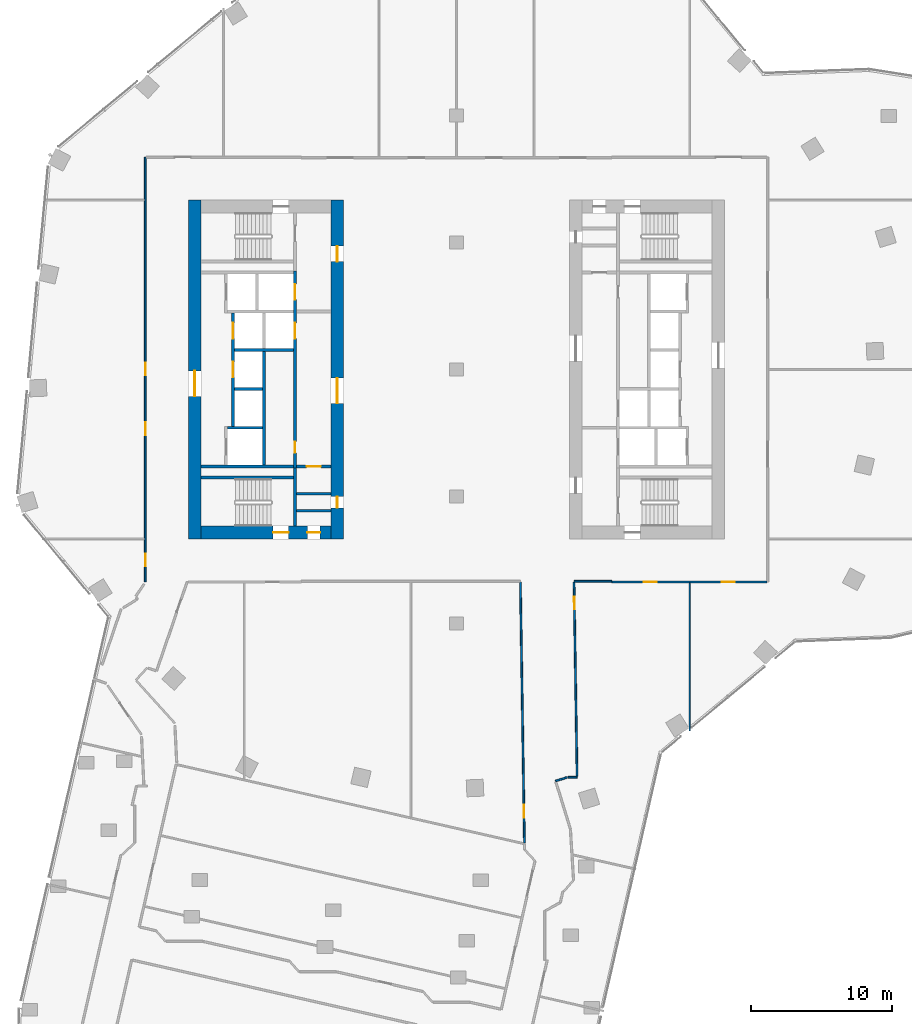
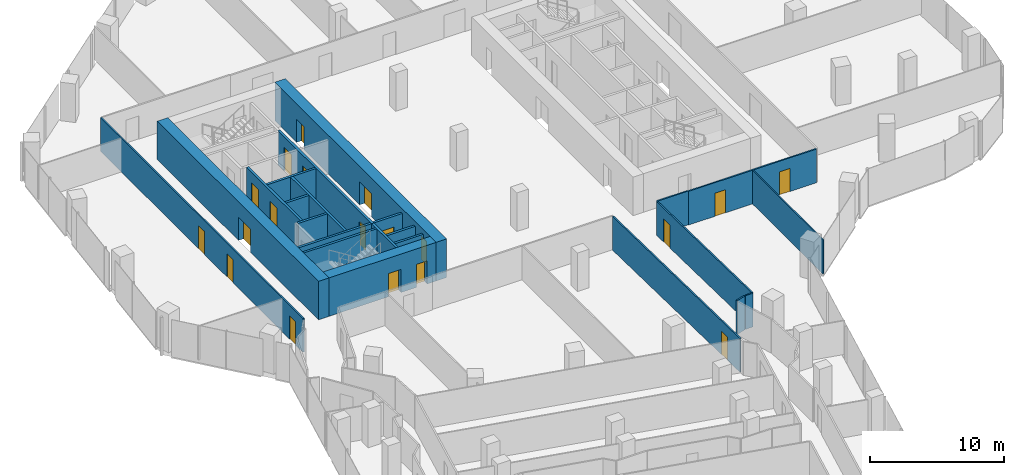
# One storey, part 20 of 24: 23 walls, 19 doors, 19 openings.
"""IFC4 building model written with IfcOpenShell, lengths in metres."""

from ifc_helpers import new_model, si_unit, direction, frame, frame_2d, origin, place, context, subcontext, project, spatial, rectangle, extrude, material, layer, layer_set, type_object, element, fill, save


model = new_model("IFC4")

# Units and contexts
model_context = context("Model", 3, precision=1e-05, world=origin(), true_north=direction((0.0, 1.0)))
body_context = subcontext(model_context, "Body", "Model", "MODEL_VIEW")
ifc_project = project(units=[si_unit("LENGTHUNIT", "METRE"), si_unit("AREAUNIT", "SQUARE_METRE"), si_unit("VOLUMEUNIT", "CUBIC_METRE"), si_unit("PLANEANGLEUNIT", "RADIAN"), si_unit("MASSUNIT", "GRAM", prefix="KILO")], contexts=[model_context])

# Site, building, storey
site_placement = place(None, origin())
site = spatial("IfcSite", under=ifc_project, at=site_placement, CompositionType="ELEMENT")
building_placement = place(site_placement, origin())
building = spatial("IfcBuilding", under=site, at=building_placement, Name="Orlundy Tower", CompositionType="ELEMENT")
storey_placement = place(building_placement, frame((0.0, 0.0, 174.10009765625)))
storey = spatial("IfcBuildingStorey", under=building, at=storey_placement, Name="L45", CompositionType="ELEMENT", Elevation=174.10009765625)

# Wall, openings, doors
ifc_material_1 = material(Name="Concrete C70/85", Category="concrete")
ifc_layer_1 = layer(ifc_material_1, 0.89990234375)
ifc_layer_set_1 = layer_set([ifc_layer_1], Name="CORE WALL 900 C70/85")
wall_type_1 = type_object("IfcWallType", Name="CORE WALL 900 C70/85", PredefinedType="SHEAR", material=ifc_layer_set_1)
wall_1_placement = place(storey_placement, frame((-18.10009765625, -11.550048828125, 0.0), z_axis=(0.0, 0.0, 1.0), x_axis=(1.0, 0.0, 0.0)))
wall_1 = element("IfcWall", 1, at=wall_1_placement, inside=storey, type_object=wall_type_1, Name="Core wall W-S L45", PredefinedType="SHEAR", context=body_context, shape_type="SweptSolid", body=[
    extrude(rectangle(XDim=9.2001953125, YDim=0.89990234375, at=frame_2d((4.60009765625, 0.0))), origin(), (0.0, 0.0, 1.0), 3.5),
])
opening_1_placement = place(wall_1_placement, frame((5.10009765625, 0.0, 0.0)))
opening_1 = element("IfcOpeningElement", 2, at=opening_1_placement, cuts=wall_1, Name="Opening 35012", PredefinedType="OPENING", context=body_context, shape_type="SweptSolid", body=[
    extrude(rectangle(XDim=1.10009765625, YDim=2.10009765625, at=frame_2d((0.550048828125, 1.050048828125))), frame((0.0, 0.4599609375, 0.0), z_axis=(0.0, -1.0, 0.0), x_axis=(1.0, 0.0, 0.0)), (0.0, 0.0, 1.0), 0.919921875),
])
opening_2_placement = place(wall_1_placement, frame((7.530029296875, 0.0, 0.0)))
opening_2 = element("IfcOpeningElement", 3, at=opening_2_placement, cuts=wall_1, Name="Opening 35014", PredefinedType="OPENING", context=body_context, shape_type="SweptSolid", body=[
    extrude(rectangle(XDim=0.89990234375, YDim=2.10009765625, at=frame_2d((0.449951171875, 1.050048828125))), frame((0.0, 0.4599609375, 0.0), z_axis=(0.0, -1.0, 0.0), x_axis=(1.0, 0.0, 0.0)), (0.0, 0.0, 1.0), 0.919921875),
])
ifc_material_2 = material(Name="Timber door set", Category="wood")
door_type_1 = type_object("IfcDoorType", Name="Room Door 900x2100", OperationType="SINGLE_SWING_LEFT", PredefinedType="DOOR", material=ifc_material_2)
door_1_placement = place(opening_2_placement, origin())
door_1 = element("IfcDoor", 4, at=door_1_placement, inside=storey, type_object=door_type_1, Name="Store door 35014", OperationType="SINGLE_SWING_RIGHT", OverallHeight=2.10009765625, OverallWidth=0.89990234375, PredefinedType="DOOR", context=body_context, shape_type="SweptSolid", body=[
    extrude(rectangle(XDim=0.89990234375, YDim=2.10009765625, at=frame_2d((0.449951171875, 1.050048828125))), frame((0.0, 0.02490234375, 0.0), z_axis=(0.0, -1.0, 0.0), x_axis=(1.0, 0.0, 0.0)), (0.0, 0.0, 1.0), 0.050048828125),
])
fill(opening_2, door_1)
ifc_material_3 = material(Name="Steel door set", Category="steel")
door_type_2 = type_object("IfcDoorType", Name="Stair Door 1100x2100", OperationType="SINGLE_SWING_LEFT", PredefinedType="DOOR", material=ifc_material_3)
door_2_placement = place(opening_1_placement, origin())
door_2 = element("IfcDoor", 5, at=door_2_placement, inside=storey, type_object=door_type_2, Name="Stair door 35012", OperationType="SINGLE_SWING_RIGHT", OverallHeight=2.10009765625, OverallWidth=1.10009765625, PredefinedType="DOOR", context=body_context, shape_type="SweptSolid", body=[
    extrude(rectangle(XDim=1.10009765625, YDim=2.10009765625, at=frame_2d((0.550048828125, 1.050048828125))), frame((0.0, 0.02490234375, 0.0), z_axis=(0.0, -1.0, 0.0), x_axis=(1.0, 0.0, 0.0)), (0.0, 0.0, 1.0), 0.050048828125),
])
fill(opening_1, door_2)

# Wall, opening, door
wall_2_placement = place(storey_placement, frame((-18.550048828125, -12.0, 0.0), z_axis=(0.0, 0.0, 1.0), x_axis=(0.0, 1.0, 0.0)))
wall_2 = element("IfcWall", 6, at=wall_2_placement, inside=storey, type_object=wall_type_1, Name="Core wall W-W L45", PredefinedType="SHEAR", context=body_context, shape_type="SweptSolid", body=[
    extrude(rectangle(XDim=24.0, YDim=0.89990234375, at=frame_2d((12.0, 0.0))), origin(), (0.0, 0.0, 1.0), 3.5),
])
opening_3_placement = place(wall_2_placement, frame((10.10009765625, 0.0, 0.0)))
opening_3 = element("IfcOpeningElement", 7, at=opening_3_placement, cuts=wall_2, Name="Opening 35009", PredefinedType="OPENING", context=body_context, shape_type="SweptSolid", body=[
    extrude(rectangle(XDim=1.800048828125, YDim=2.10009765625, at=frame_2d((0.89990234375, 1.050048828125))), frame((0.0, 0.4599609375, 0.0), z_axis=(0.0, -1.0, 0.0), x_axis=(1.0, 0.0, 0.0)), (0.0, 0.0, 1.0), 0.919921875),
])
ifc_material_4 = material(Name="Timber door set", Category="wood")
door_type_3 = type_object("IfcDoorType", Name="Lobby Door 1800x2100", OperationType="DOUBLE_DOOR_DOUBLE_SWING", PredefinedType="DOOR", material=ifc_material_4)
door_3_placement = place(opening_3_placement, origin())
door_3 = element("IfcDoor", 8, at=door_3_placement, inside=storey, type_object=door_type_3, Name="Lift lobby door 35009", OperationType="SINGLE_SWING_LEFT", OverallHeight=2.10009765625, OverallWidth=1.800048828125, PredefinedType="DOOR", context=body_context, shape_type="SweptSolid", body=[
    extrude(rectangle(XDim=1.800048828125, YDim=2.10009765625, at=frame_2d((0.89990234375, 1.050048828125))), frame((0.0, 0.02490234375, 0.0), z_axis=(0.0, -1.0, 0.0), x_axis=(1.0, 0.0, 0.0)), (0.0, 0.0, 1.0), 0.050048828125),
])
fill(opening_3, door_3)

# Wall, openings, doors
wall_3_placement = place(storey_placement, frame((-8.449951171875, -12.0, 0.0), z_axis=(0.0, 0.0, 1.0), x_axis=(0.0, 1.0, 0.0)))
wall_3 = element("IfcWall", 9, at=wall_3_placement, inside=storey, type_object=wall_type_1, Name="Core wall W-E L45", PredefinedType="SHEAR", context=body_context, shape_type="SweptSolid", body=[
    extrude(rectangle(XDim=24.0, YDim=0.89990234375, at=frame_2d((12.0, 0.0))), origin(), (0.0, 0.0, 1.0), 3.5),
])
opening_4_placement = place(wall_3_placement, frame((9.60009765625, 0.0, 0.0)))
opening_4 = element("IfcOpeningElement", 10, at=opening_4_placement, cuts=wall_3, Name="Opening 35008", PredefinedType="OPENING", context=body_context, shape_type="SweptSolid", body=[
    extrude(rectangle(XDim=1.800048828125, YDim=2.10009765625, at=frame_2d((0.89990234375, 1.050048828125))), frame((0.0, 0.4599609375, 0.0), z_axis=(0.0, -1.0, 0.0), x_axis=(1.0, 0.0, 0.0)), (0.0, 0.0, 1.0), 0.919921875),
])
opening_5_placement = place(wall_3_placement, frame((19.64990234375, 0.0, 0.0)))
opening_5 = element("IfcOpeningElement", 11, at=opening_5_placement, cuts=wall_3, Name="Opening 35010", PredefinedType="OPENING", context=body_context, shape_type="SweptSolid", body=[
    extrude(rectangle(XDim=1.10009765625, YDim=2.10009765625, at=frame_2d((0.550048828125, 1.050048828125))), frame((0.0, 0.4599609375, 0.0), z_axis=(0.0, -1.0, 0.0), x_axis=(1.0, 0.0, 0.0)), (0.0, 0.0, 1.0), 0.919921875),
])
opening_6_placement = place(wall_3_placement, frame((2.199951171875, 0.0, 0.0)))
opening_6 = element("IfcOpeningElement", 12, at=opening_6_placement, cuts=wall_3, Name="Opening 35015", PredefinedType="OPENING", context=body_context, shape_type="SweptSolid", body=[
    extrude(rectangle(XDim=0.800048828125, YDim=2.10009765625, at=frame_2d((0.39990234375, 1.050048828125))), frame((0.0, 0.4599609375, 0.0), z_axis=(0.0, -1.0, 0.0), x_axis=(1.0, 0.0, 0.0)), (0.0, 0.0, 1.0), 0.919921875),
])
ifc_material_5 = material(Name="Steel door set", Category="steel")
door_type_4 = type_object("IfcDoorType", Name="Fire-fighting Lobby Door 1100x2100", OperationType="SINGLE_SWING_LEFT", PredefinedType="DOOR", material=ifc_material_5)
door_4_placement = place(opening_5_placement, origin())
door_4 = element("IfcDoor", 13, at=door_4_placement, inside=storey, type_object=door_type_4, Name="Fire-fighting lobby door 35010", OperationType="SINGLE_SWING_RIGHT", OverallHeight=2.10009765625, OverallWidth=1.10009765625, PredefinedType="DOOR", context=body_context, shape_type="SweptSolid", body=[
    extrude(rectangle(XDim=1.10009765625, YDim=2.10009765625, at=frame_2d((0.550048828125, 1.050048828125))), frame((0.0, 0.02490234375, 0.0), z_axis=(0.0, -1.0, 0.0), x_axis=(1.0, 0.0, 0.0)), (0.0, 0.0, 1.0), 0.050048828125),
])
fill(opening_5, door_4)
door_5_placement = place(opening_4_placement, origin())
door_5 = element("IfcDoor", 14, at=door_5_placement, inside=storey, type_object=door_type_3, Name="Lift lobby door 35008", OperationType="SINGLE_SWING_LEFT", OverallHeight=2.10009765625, OverallWidth=1.800048828125, PredefinedType="DOOR", context=body_context, shape_type="SweptSolid", body=[
    extrude(rectangle(XDim=1.800048828125, YDim=2.10009765625, at=frame_2d((0.89990234375, 1.050048828125))), frame((0.0, 0.02490234375, 0.0), z_axis=(0.0, -1.0, 0.0), x_axis=(1.0, 0.0, 0.0)), (0.0, 0.0, 1.0), 0.050048828125),
])
fill(opening_4, door_5)
ifc_material_6 = material(Name="Timber door set", Category="wood")
door_type_5 = type_object("IfcDoorType", Name="Riser Door 800x2100", OperationType="SINGLE_SWING_LEFT", PredefinedType="DOOR", material=ifc_material_6)
door_6_placement = place(opening_6_placement, origin())
door_6 = element("IfcDoor", 15, at=door_6_placement, inside=storey, type_object=door_type_5, Name="Door 35015", OperationType="SINGLE_SWING_LEFT", OverallHeight=2.10009765625, OverallWidth=0.800048828125, PredefinedType="DOOR", context=body_context, shape_type="SweptSolid", body=[
    extrude(rectangle(XDim=0.800048828125, YDim=2.10009765625, at=frame_2d((0.39990234375, 1.050048828125))), frame((0.0, 0.02490234375, 0.0), z_axis=(0.0, -1.0, 0.0), x_axis=(1.0, 0.0, 0.0)), (0.0, 0.0, 1.0), 0.050048828125),
])
fill(opening_6, door_6)

# Wall
ifc_material_7 = material(Name="Gypsum board partition")
ifc_layer_2 = layer(ifc_material_7, 0.10009765625)
ifc_layer_set_2 = layer_set([ifc_layer_2], Name="Floor partition 100")
wall_type_2 = type_object("IfcWallType", Name="Floor partition 100", PredefinedType="PARTITIONING", material=ifc_layer_set_2)
wall_4_placement = place(storey_placement, frame((16.52099609375, -25.596923828125, 0.0), z_axis=(0.0, 0.0, 1.0), x_axis=(0.0, 1.0, 0.0)))
element("IfcWall", 16, at=wall_4_placement, inside=storey, type_object=wall_type_2, Name="wall-int-L45-071", PredefinedType="PARTITIONING", context=body_context, shape_type="SweptSolid", body=[
    extrude(rectangle(XDim=10.48291015625, YDim=0.10009765625, at=frame_2d((5.241455078125, 0.0))), origin(), (0.0, 0.0, 1.0), 3.059814453125),
])

# Wall, opening, door
ifc_material_8 = material(Name="Gypsum board partition, double layer")
ifc_layer_3 = layer(ifc_material_8, 0.125)
ifc_layer_set_3 = layer_set([ifc_layer_3], Name="Floor partition 125")
wall_type_3 = type_object("IfcWallType", Name="Floor partition 125", PredefinedType="PARTITIONING", material=ifc_layer_set_3)
wall_5_placement = place(storey_placement, frame((4.81103515625, -33.534912109375, 0.0), z_axis=(0.0, 0.0, 1.0), x_axis=(-0.015646006357, 0.999877593751, 0.0)))
wall_5 = element("IfcWall", 17, at=wall_5_placement, inside=storey, type_object=wall_type_3, Name="wall-int-L45-003", PredefinedType="PARTITIONING", context=body_context, shape_type="SweptSolid", body=[
    extrude(rectangle(XDim=18.47509765625, YDim=0.125, at=frame_2d((9.237548828125, 0.0))), origin(), (0.0, 0.0, 1.0), 3.059814453125),
])
opening_7_placement = place(wall_5_placement, frame((1.783203125, 0.0, 0.0)))
opening_7 = element("IfcOpeningElement", 18, at=opening_7_placement, cuts=wall_5, Name="Opening 35115", PredefinedType="OPENING", context=body_context, shape_type="SweptSolid", body=[
    extrude(rectangle(XDim=0.89990234375, YDim=2.10009765625, at=frame_2d((0.449951171875, 1.050048828125))), frame((0.0, 0.072509765625, 0.0), z_axis=(0.0, -1.0, 0.0), x_axis=(1.0, 0.0, 0.0)), (0.0, 0.0, 1.0), 0.14501953125),
])
ifc_material_9 = material(Name="Timber door leaf", Category="wood")
door_type_6 = type_object("IfcDoorType", Name="Floor door single 900 FD30S", OperationType="NOTDEFINED", PredefinedType="DOOR", material=ifc_material_9)
door_7_placement = place(opening_7_placement, origin())
door_7 = element("IfcDoor", 19, at=door_7_placement, inside=storey, type_object=door_type_6, Name="Door 35115", OperationType="SINGLE_SWING_LEFT", OverallHeight=2.10009765625, OverallWidth=0.89990234375, PredefinedType="DOOR", context=body_context, shape_type="SweptSolid", body=[
    extrude(rectangle(XDim=0.89990234375, YDim=2.10009765625, at=frame_2d((0.449951171875, 1.050048828125))), frame((0.0, 0.02490234375, 0.0), z_axis=(0.0, -1.0, 0.0), x_axis=(1.0, 0.0, 0.0)), (0.0, 0.0, 1.0), 0.050048828125),
])
fill(opening_7, door_7)

wall_6_placement = place(storey_placement, frame((8.323974609375, -15.06201171875, 0.0), z_axis=(0.0, 0.0, 1.0), x_axis=(0.015628358081, -0.999877869754, 0.0)))
wall_6 = element("IfcWall", 20, at=wall_6_placement, inside=storey, type_object=wall_type_3, Name="wall-int-L45-004", PredefinedType="PARTITIONING", context=body_context, shape_type="SweptSolid", body=[
    extrude(rectangle(XDim=13.7626953125, YDim=0.125, at=frame_2d((6.88134765625, 0.0))), origin(), (0.0, 0.0, 1.0), 3.059814453125),
])
opening_8_placement = place(wall_6_placement, frame((1.03759765625, 0.0, 0.0)))
opening_8 = element("IfcOpeningElement", 21, at=opening_8_placement, cuts=wall_6, Name="Opening 35116", PredefinedType="OPENING", context=body_context, shape_type="SweptSolid", body=[
    extrude(rectangle(XDim=0.89990234375, YDim=2.10009765625, at=frame_2d((0.449951171875, 1.050048828125))), frame((0.0, 0.072509765625, 0.0), z_axis=(0.0, -1.0, 0.0), x_axis=(1.0, 0.0, 0.0)), (0.0, 0.0, 1.0), 0.14501953125),
])
door_8_placement = place(opening_8_placement, origin())
door_8 = element("IfcDoor", 22, at=door_8_placement, inside=storey, type_object=door_type_6, Name="Door 35116", OperationType="SINGLE_SWING_LEFT", OverallHeight=2.10009765625, OverallWidth=0.89990234375, PredefinedType="DOOR", context=body_context, shape_type="SweptSolid", body=[
    extrude(rectangle(XDim=0.89990234375, YDim=2.10009765625, at=frame_2d((0.449951171875, 1.050048828125))), frame((0.0, 0.02490234375, 0.0), z_axis=(0.0, -1.0, 0.0), x_axis=(1.0, 0.0, 0.0)), (0.0, 0.0, 1.0), 0.050048828125),
])
fill(opening_8, door_8)

# Wall, openings, doors
wall_7_placement = place(storey_placement, frame((21.988037109375, -15.051025390625, 0.0), z_axis=(0.0, 0.0, 1.0), x_axis=(-1.0, 0.0, 0.0)))
wall_7 = element("IfcWall", 23, at=wall_7_placement, inside=storey, type_object=wall_type_3, Name="wall-int-L45-038", PredefinedType="PARTITIONING", context=body_context, shape_type="SweptSolid", body=[
    extrude(rectangle(XDim=10.9970703125, YDim=0.125, at=frame_2d((5.49853515625, 0.0))), origin(), (0.0, 0.0, 1.0), 3.059814453125),
])
opening_9_placement = place(wall_7_placement, frame((7.81640625, 0.0, 0.0)))
opening_9 = element("IfcOpeningElement", 24, at=opening_9_placement, cuts=wall_7, Name="Opening 35117", PredefinedType="OPENING", context=body_context, shape_type="SweptSolid", body=[
    extrude(rectangle(XDim=0.89990234375, YDim=2.10009765625, at=frame_2d((0.449951171875, 1.050048828125))), frame((0.0, 0.072509765625, 0.0), z_axis=(0.0, -1.0, 0.0), x_axis=(1.0, 0.0, 0.0)), (0.0, 0.0, 1.0), 0.14501953125),
])
opening_10_placement = place(wall_7_placement, frame((2.28759765625, 0.0, 0.0)))
opening_10 = element("IfcOpeningElement", 25, at=opening_10_placement, cuts=wall_7, Name="Opening 35118", PredefinedType="OPENING", context=body_context, shape_type="SweptSolid", body=[
    extrude(rectangle(XDim=0.89990234375, YDim=2.10009765625, at=frame_2d((0.449951171875, 1.050048828125))), frame((0.0, 0.072509765625, 0.0), z_axis=(0.0, -1.0, 0.0), x_axis=(1.0, 0.0, 0.0)), (0.0, 0.0, 1.0), 0.14501953125),
])
door_9_placement = place(opening_9_placement, origin())
door_9 = element("IfcDoor", 26, at=door_9_placement, inside=storey, type_object=door_type_6, Name="Door 35117", OperationType="SINGLE_SWING_RIGHT", OverallHeight=2.10009765625, OverallWidth=0.89990234375, PredefinedType="DOOR", context=body_context, shape_type="SweptSolid", body=[
    extrude(rectangle(XDim=0.89990234375, YDim=2.10009765625, at=frame_2d((0.449951171875, 1.050048828125))), frame((0.0, 0.02490234375, 0.0), z_axis=(0.0, -1.0, 0.0), x_axis=(1.0, 0.0, 0.0)), (0.0, 0.0, 1.0), 0.050048828125),
])
fill(opening_9, door_9)
door_10_placement = place(opening_10_placement, origin())
door_10 = element("IfcDoor", 27, at=door_10_placement, inside=storey, type_object=door_type_6, Name="Door 35118", OperationType="SINGLE_SWING_LEFT", OverallHeight=2.10009765625, OverallWidth=0.89990234375, PredefinedType="DOOR", context=body_context, shape_type="SweptSolid", body=[
    extrude(rectangle(XDim=0.89990234375, YDim=2.10009765625, at=frame_2d((0.449951171875, 1.050048828125))), frame((0.0, 0.02490234375, 0.0), z_axis=(0.0, -1.0, 0.0), x_axis=(1.0, 0.0, 0.0)), (0.0, 0.0, 1.0), 0.050048828125),
])
fill(opening_10, door_10)

# Walls
wall_8_placement = place(storey_placement, frame((8.322998046875, -15.0, 0.0), z_axis=(0.0, 0.0, 1.0), x_axis=(0.999999932961, -0.000366166215, 0.0)))
element("IfcWall", 28, at=wall_8_placement, inside=storey, type_object=wall_type_3, Name="wall-int-L45-040", PredefinedType="PARTITIONING", context=body_context, shape_type="SweptSolid", body=[
    extrude(rectangle(XDim=2.6669921875, YDim=0.125, at=frame_2d((1.33349609375, 0.0))), origin(), (0.0, 0.0, 1.0), 3.059814453125),
])
wall_9_placement = place(storey_placement, frame((7.902099609375, -28.89501953125, 0.0), z_axis=(0.0, 0.0, 1.0), x_axis=(0.999876922486, 0.015688845703, 0.0)))
element("IfcWall", 29, at=wall_9_placement, inside=storey, type_object=wall_type_3, Name="wall-int-L45-050", PredefinedType="PARTITIONING", context=body_context, shape_type="SweptSolid", body=[
    extrude(rectangle(XDim=0.637939453125, YDim=0.125, at=frame_2d((0.31884765625, 0.0))), origin(), (0.0, 0.0, 1.0), 3.059814453125),
])
wall_10_placement = place(storey_placement, frame((7.01611328125, -29.15087890625, 0.0), z_axis=(0.0, 0.0, 1.0), x_axis=(0.955337275677, 0.295517663943, 0.0)))
element("IfcWall", 30, at=wall_10_placement, inside=storey, type_object=wall_type_3, Name="wall-int-L45-052", PredefinedType="PARTITIONING", context=body_context, shape_type="SweptSolid", body=[
    extrude(rectangle(XDim=0.862548828125, YDim=0.125, at=frame_2d((0.43115234375, 0.0))), origin(), (0.0, 0.0, 1.0), 3.059814453125),
])

# Wall, openings, doors
wall_11_placement = place(storey_placement, frame((-22.050048828125, -15.051025390625, 0.0), z_axis=(0.0, 0.0, 1.0), x_axis=(0.0, 1.0, 0.0)))
wall_11 = element("IfcWall", 31, at=wall_11_placement, inside=storey, type_object=wall_type_3, Name="wall-int-L45-083", PredefinedType="PARTITIONING", context=body_context, shape_type="SweptSolid", body=[
    extrude(rectangle(XDim=30.10205078125, YDim=0.125, at=frame_2d((15.051025390625, 0.0))), origin(), (0.0, 0.0, 1.0), 3.059814453125),
])
opening_11_placement = place(wall_11_placement, frame((10.40087890625, 0.0, 0.0)))
opening_11 = element("IfcOpeningElement", 32, at=opening_11_placement, cuts=wall_11, Name="Opening 35109", PredefinedType="OPENING", context=body_context, shape_type="SweptSolid", body=[
    extrude(rectangle(XDim=0.89990234375, YDim=2.10009765625, at=frame_2d((0.449951171875, 1.050048828125))), frame((0.0, 0.072509765625, 0.0), z_axis=(0.0, -1.0, 0.0), x_axis=(1.0, 0.0, 0.0)), (0.0, 0.0, 1.0), 0.14501953125),
])
opening_12_placement = place(wall_11_placement, frame((14.65087890625, 0.0, 0.0)))
opening_12 = element("IfcOpeningElement", 33, at=opening_12_placement, cuts=wall_11, Name="Opening 35110", PredefinedType="OPENING", context=body_context, shape_type="SweptSolid", body=[
    extrude(rectangle(XDim=0.89990234375, YDim=2.10009765625, at=frame_2d((0.449951171875, 1.050048828125))), frame((0.0, 0.072509765625, 0.0), z_axis=(0.0, -1.0, 0.0), x_axis=(1.0, 0.0, 0.0)), (0.0, 0.0, 1.0), 0.14501953125),
])
opening_13_placement = place(wall_11_placement, frame((1.10009765625, 0.0, 0.0)))
opening_13 = element("IfcOpeningElement", 34, at=opening_13_placement, cuts=wall_11, Name="Opening 35111", PredefinedType="OPENING", context=body_context, shape_type="SweptSolid", body=[
    extrude(rectangle(XDim=0.89990234375, YDim=2.10009765625, at=frame_2d((0.449951171875, 1.050048828125))), frame((0.0, 0.072509765625, 0.0), z_axis=(0.0, -1.0, 0.0), x_axis=(1.0, 0.0, 0.0)), (0.0, 0.0, 1.0), 0.14501953125),
])
door_11_placement = place(opening_11_placement, origin())
door_11 = element("IfcDoor", 35, at=door_11_placement, inside=storey, type_object=door_type_6, Name="Door 35109", OperationType="SINGLE_SWING_LEFT", OverallHeight=2.10009765625, OverallWidth=0.89990234375, PredefinedType="DOOR", context=body_context, shape_type="SweptSolid", body=[
    extrude(rectangle(XDim=0.89990234375, YDim=2.10009765625, at=frame_2d((0.449951171875, 1.050048828125))), frame((0.0, 0.02490234375, 0.0), z_axis=(0.0, -1.0, 0.0), x_axis=(1.0, 0.0, 0.0)), (0.0, 0.0, 1.0), 0.050048828125),
])
fill(opening_11, door_11)
door_12_placement = place(opening_12_placement, origin())
door_12 = element("IfcDoor", 36, at=door_12_placement, inside=storey, type_object=door_type_6, Name="Door 35110", OperationType="SINGLE_SWING_RIGHT", OverallHeight=2.10009765625, OverallWidth=0.89990234375, PredefinedType="DOOR", context=body_context, shape_type="SweptSolid", body=[
    extrude(rectangle(XDim=0.89990234375, YDim=2.10009765625, at=frame_2d((0.449951171875, 1.050048828125))), frame((0.0, 0.02490234375, 0.0), z_axis=(0.0, -1.0, 0.0), x_axis=(1.0, 0.0, 0.0)), (0.0, 0.0, 1.0), 0.050048828125),
])
fill(opening_12, door_12)
door_13_placement = place(opening_13_placement, origin())
door_13 = element("IfcDoor", 37, at=door_13_placement, inside=storey, type_object=door_type_6, Name="Door 35111", OperationType="SINGLE_SWING_LEFT", OverallHeight=2.10009765625, OverallWidth=0.89990234375, PredefinedType="DOOR", context=body_context, shape_type="SweptSolid", body=[
    extrude(rectangle(XDim=0.89990234375, YDim=2.10009765625, at=frame_2d((0.449951171875, 1.050048828125))), frame((0.0, 0.02490234375, 0.0), z_axis=(0.0, -1.0, 0.0), x_axis=(1.0, 0.0, 0.0)), (0.0, 0.0, 1.0), 0.050048828125),
])
fill(opening_13, door_13)

# Walls
ifc_material_10 = material(Name="Concrete C40/50", Category="concrete")
ifc_layer_4 = layer(ifc_material_10, 0.199951171875)
ifc_layer_set_4 = layer_set([ifc_layer_4], Name="Load-bearing Shaft Wall 200")
wall_type_4 = type_object("IfcWallType", Name="Load-bearing Shaft Wall 200", PredefinedType="SOLIDWALL", material=ifc_layer_set_4)
wall_12_placement = place(storey_placement, frame((-11.43994140625, -11.10009765625, 0.0), z_axis=(0.0, 0.0, 1.0), x_axis=(0.0, 1.0, 0.0)))
element("IfcWall", 38, at=wall_12_placement, inside=storey, type_object=wall_type_4, Name="Shaft wall W35-stair-end-s", PredefinedType="SOLIDWALL", context=body_context, shape_type="SweptSolid", body=[
    extrude(rectangle(XDim=4.125, YDim=0.199951171875, at=frame_2d((2.0625, 0.0))), origin(), (0.0, 0.0, 1.0), 3.079833984375),
])
wall_13_placement = place(storey_placement, frame((-11.5400390625, -7.64990234375, 0.0), z_axis=(0.0, 0.0, 1.0), x_axis=(-1.0, 0.0, 0.0)))
element("IfcWall", 39, at=wall_13_placement, inside=storey, type_object=wall_type_4, Name="Shaft wall W35-stair-side-s", PredefinedType="SOLIDWALL", context=body_context, shape_type="SweptSolid", body=[
    extrude(rectangle(XDim=6.56005859375, YDim=0.199951171875, at=frame_2d((3.280029296875, 0.0))), origin(), (0.0, 0.0, 1.0), 3.079833984375),
])

# Wall, opening, door
ifc_material_11 = material(Name="Gypsum board partition on steel studs", Category="steel")
ifc_layer_5 = layer(ifc_material_11, 0.199951171875)
ifc_layer_set_5 = layer_set([ifc_layer_5], Name="Partition 200")
wall_type_5 = type_object("IfcWallType", Name="Partition 200", PredefinedType="PARTITIONING", material=ifc_layer_set_5)
wall_14_placement = place(storey_placement, frame((-8.89990234375, -6.875, 0.0), z_axis=(0.0, 0.0, 1.0), x_axis=(-1.0, 0.0, 0.0)))
wall_14 = element("IfcWall", 40, at=wall_14_placement, inside=storey, type_object=wall_type_5, Name="Partition wall W35-end-s", PredefinedType="PARTITIONING", context=body_context, shape_type="SweptSolid", body=[
    extrude(rectangle(XDim=2.440185546875, YDim=0.199951171875, at=frame_2d((1.22021484375, 0.0))), origin(), (0.0, 0.0, 1.0), 3.079833984375),
])
opening_14_placement = place(wall_14_placement, frame((0.719970703125, 0.0, 0.0)))
opening_14 = element("IfcOpeningElement", 41, at=opening_14_placement, cuts=wall_14, Name="Opening 35016", PredefinedType="OPENING", context=body_context, shape_type="SweptSolid", body=[
    extrude(rectangle(XDim=1.0, YDim=2.10009765625, at=frame_2d((0.5, 1.050048828125))), frame((0.0, 0.110107421875, 0.0), z_axis=(0.0, -1.0, 0.0), x_axis=(1.0, 0.0, 0.0)), (0.0, 0.0, 1.0), 0.22021484375),
])
ifc_material_12 = material(Name="Timber door set", Category="wood")
door_type_7 = type_object("IfcDoorType", Name="Accessible Door 1000x2100", OperationType="SINGLE_SWING_LEFT", PredefinedType="DOOR", material=ifc_material_12)
door_14_placement = place(opening_14_placement, origin())
door_14 = element("IfcDoor", 42, at=door_14_placement, inside=storey, type_object=door_type_7, Name="Accessible WC door 35016", OperationType="SINGLE_SWING_RIGHT", OverallHeight=2.10009765625, OverallWidth=1.0, PredefinedType="DOOR", context=body_context, shape_type="SweptSolid", body=[
    extrude(rectangle(XDim=1.0, YDim=2.10009765625, at=frame_2d((0.5, 1.050048828125))), frame((0.0, 0.02490234375, 0.0), z_axis=(0.0, -1.0, 0.0), x_axis=(1.0, 0.0, 0.0)), (0.0, 0.0, 1.0), 0.050048828125),
])
fill(opening_14, door_14)

# Walls
for number, where, z_axis, x_axis, name in (
    (43, (-8.89990234375, -10.0, 0.0), (0.0, 0.0, 1.0), (-1.0, 0.0, 0.0), "Partition wall W35-room-s0"),
    (44, (-8.89990234375, -8.800048828125, 0.0), (0.0, 0.0, 1.0), (-1.0, 0.0, 0.0), "Partition wall W35-room-s1"),
):
    element("IfcWall", number, at=place(storey_placement, frame(where, z_axis=z_axis, x_axis=x_axis)), inside=storey, type_object=wall_type_5, Name=name, PredefinedType="PARTITIONING", context=body_context, shape_type="SweptSolid", body=[
        extrude(rectangle(XDim=2.440185546875, YDim=0.199951171875, at=frame_2d((1.22021484375, 0.0))), origin(), (0.0, 0.0, 1.0), 3.079833984375),
    ])
ifc_material_13 = material(Name="Fire-rated blockwork shaft wall", Category="masonry")
ifc_layer_6 = layer(ifc_material_13, 0.199951171875)
ifc_layer_set_6 = layer_set([ifc_layer_6], Name="Shaft Wall 200")
wall_type_6 = type_object("IfcWallType", Name="Shaft Wall 200", PredefinedType="SOLIDWALL", material=ifc_layer_set_6)
wall_15_placement = place(storey_placement, frame((-11.5400390625, -6.875, 0.0), z_axis=(0.0, 0.0, 1.0), x_axis=(-1.0, 0.0, 0.0)))
element("IfcWall", 45, at=wall_15_placement, inside=storey, type_object=wall_type_6, Name="Shaft wall W35-zone-s", PredefinedType="SOLIDWALL", context=body_context, shape_type="SweptSolid", body=[
    extrude(rectangle(XDim=6.56005859375, YDim=0.199951171875, at=frame_2d((3.280029296875, 0.0))), origin(), (0.0, 0.0, 1.0), 3.079833984375),
])
wall_16_placement = place(storey_placement, frame((-13.739990234375, -4.125, 0.0), z_axis=(0.0, 0.0, 1.0), x_axis=(-1.0, 0.0, 0.0)))
element("IfcWall", 46, at=wall_16_placement, inside=storey, type_object=wall_type_6, Name="Shaft wall W35-cross-4.125", PredefinedType="SOLIDWALL", context=body_context, shape_type="SweptSolid", body=[
    extrude(rectangle(XDim=2.5, YDim=0.199951171875, at=frame_2d((1.25, 0.0))), origin(), (0.0, 0.0, 1.0), 3.079833984375),
])
wall_17_placement = place(storey_placement, frame((-13.739990234375, -1.375, 0.0), z_axis=(0.0, 0.0, 1.0), x_axis=(-1.0, 0.0, 0.0)))
element("IfcWall", 47, at=wall_17_placement, inside=storey, type_object=wall_type_6, Name="Shaft wall W35-cross-1.375", PredefinedType="SOLIDWALL", context=body_context, shape_type="SweptSolid", body=[
    extrude(rectangle(XDim=2.0, YDim=0.199951171875, at=frame_2d((1.0, 0.0))), origin(), (0.0, 0.0, 1.0), 3.079833984375),
])
wall_18_placement = place(storey_placement, frame((-11.5400390625, 1.375, 0.0), z_axis=(0.0, 0.0, 1.0), x_axis=(-1.0, 0.0, 0.0)))
element("IfcWall", 48, at=wall_18_placement, inside=storey, type_object=wall_type_6, Name="Shaft wall W35-cross+1.375", PredefinedType="SOLIDWALL", context=body_context, shape_type="SweptSolid", body=[
    extrude(rectangle(XDim=4.199951171875, YDim=0.199951171875, at=frame_2d((2.10009765625, 0.0))), origin(), (0.0, 0.0, 1.0), 3.079833984375),
])

# Wall, openings, doors
wall_19_placement = place(storey_placement, frame((-11.43994140625, -6.97509765625, 0.0), z_axis=(0.0, 0.0, 1.0), x_axis=(0.0, 1.0, 0.0)))
wall_19 = element("IfcWall", 49, at=wall_19_placement, inside=storey, type_object=wall_type_6, Name="Shaft wall W35-front-h", PredefinedType="SOLIDWALL", context=body_context, shape_type="SweptSolid", body=[
    extrude(rectangle(XDim=13.9501953125, YDim=0.199951171875, at=frame_2d((6.97509765625, 0.0))), origin(), (0.0, 0.0, 1.0), 3.079833984375),
])
opening_15_placement = place(wall_19_placement, frame((9.175048828125, 0.0, 0.0)))
opening_15 = element("IfcOpeningElement", 50, at=opening_15_placement, cuts=wall_19, Name="Opening 35003", PredefinedType="OPENING", context=body_context, shape_type="SweptSolid", body=[
    extrude(rectangle(XDim=1.10009765625, YDim=2.10009765625, at=frame_2d((0.550048828125, 1.050048828125))), frame((0.0, 0.110107421875, 0.0), z_axis=(0.0, -1.0, 0.0), x_axis=(1.0, 0.0, 0.0)), (0.0, 0.0, 1.0), 0.22021484375),
])
opening_16_placement = place(wall_19_placement, frame((11.925048828125, 0.0, 0.0)))
opening_16 = element("IfcOpeningElement", 51, at=opening_16_placement, cuts=wall_19, Name="Opening 35005", PredefinedType="OPENING", context=body_context, shape_type="SweptSolid", body=[
    extrude(rectangle(XDim=1.10009765625, YDim=2.10009765625, at=frame_2d((0.550048828125, 1.050048828125))), frame((0.0, 0.110107421875, 0.0), z_axis=(0.0, -1.0, 0.0), x_axis=(1.0, 0.0, 0.0)), (0.0, 0.0, 1.0), 0.22021484375),
])
opening_17_placement = place(wall_19_placement, frame((1.074951171875, 0.0, 0.0)))
opening_17 = element("IfcOpeningElement", 52, at=opening_17_placement, cuts=wall_19, Name="Opening 35007", PredefinedType="OPENING", context=body_context, shape_type="SweptSolid", body=[
    extrude(rectangle(XDim=0.800048828125, YDim=2.10009765625, at=frame_2d((0.39990234375, 1.050048828125))), frame((0.0, 0.110107421875, 0.0), z_axis=(0.0, -1.0, 0.0), x_axis=(1.0, 0.0, 0.0)), (0.0, 0.0, 1.0), 0.22021484375),
])
ifc_material_14 = material(Name="Steel door set", Category="steel")
door_type_8 = type_object("IfcDoorType", Name="Landing Door 1100x2100", OperationType="DOUBLE_DOOR_SLIDING", PredefinedType="DOOR", material=ifc_material_14)
door_15_placement = place(opening_15_placement, origin())
door_15 = element("IfcDoor", 53, at=door_15_placement, inside=storey, type_object=door_type_8, Name="Lift landing door LP-12 35003", OperationType="DOUBLE_DOOR_SLIDING", OverallHeight=2.10009765625, OverallWidth=1.10009765625, PredefinedType="DOOR", context=body_context, shape_type="SweptSolid", body=[
    extrude(rectangle(XDim=1.10009765625, YDim=2.10009765625, at=frame_2d((0.550048828125, 1.050048828125))), frame((0.0, 0.02490234375, 0.0), z_axis=(0.0, -1.0, 0.0), x_axis=(1.0, 0.0, 0.0)), (0.0, 0.0, 1.0), 0.050048828125),
])
fill(opening_15, door_15)
door_16_placement = place(opening_16_placement, origin())
door_16 = element("IfcDoor", 54, at=door_16_placement, inside=storey, type_object=door_type_8, Name="Lift landing door FL1 35005", OperationType="DOUBLE_DOOR_SLIDING", OverallHeight=2.10009765625, OverallWidth=1.10009765625, PredefinedType="DOOR", context=body_context, shape_type="SweptSolid", body=[
    extrude(rectangle(XDim=1.10009765625, YDim=2.10009765625, at=frame_2d((0.550048828125, 1.050048828125))), frame((0.0, 0.02490234375, 0.0), z_axis=(0.0, -1.0, 0.0), x_axis=(1.0, 0.0, 0.0)), (0.0, 0.0, 1.0), 0.050048828125),
])
fill(opening_16, door_16)
door_17_placement = place(opening_17_placement, origin())
door_17 = element("IfcDoor", 55, at=door_17_placement, inside=storey, type_object=door_type_5, Name="Telecom Room door 35007", OperationType="SINGLE_SWING_LEFT", OverallHeight=2.10009765625, OverallWidth=0.800048828125, PredefinedType="DOOR", context=body_context, shape_type="SweptSolid", body=[
    extrude(rectangle(XDim=0.800048828125, YDim=2.10009765625, at=frame_2d((0.39990234375, 1.050048828125))), frame((0.0, 0.02490234375, 0.0), z_axis=(0.0, -1.0, 0.0), x_axis=(1.0, 0.0, 0.0)), (0.0, 0.0, 1.0), 0.050048828125),
])
fill(opening_17, door_17)

# Wall
wall_20_placement = place(storey_placement, frame((-13.639892578125, -6.77490234375, 0.0), z_axis=(0.0, 0.0, 1.0), x_axis=(0.0, 1.0, 0.0)))
element("IfcWall", 56, at=wall_20_placement, inside=storey, type_object=wall_type_6, Name="Shaft wall W35-mid-a", PredefinedType="SOLIDWALL", context=body_context, shape_type="SweptSolid", body=[
    extrude(rectangle(XDim=8.0498046875, YDim=0.199951171875, at=frame_2d((4.02490234375, 0.0))), origin(), (0.0, 0.0, 1.0), 3.079833984375),
])

# Wall, openings, doors
wall_21_placement = place(storey_placement, frame((-15.840087890625, -4.02490234375, 0.0), z_axis=(0.0, 0.0, 1.0), x_axis=(0.0, 1.0, 0.0)))
wall_21 = element("IfcWall", 57, at=wall_21_placement, inside=storey, type_object=wall_type_6, Name="Shaft wall W35-front-o-b", PredefinedType="SOLIDWALL", context=body_context, shape_type="SweptSolid", body=[
    extrude(rectangle(XDim=8.0498046875, YDim=0.199951171875, at=frame_2d((4.02490234375, 0.0))), origin(), (0.0, 0.0, 1.0), 3.079833984375),
])
opening_18_placement = place(wall_21_placement, frame((3.47509765625, 0.0, 0.0)))
opening_18 = element("IfcOpeningElement", 58, at=opening_18_placement, cuts=wall_21, Name="Opening 35002", PredefinedType="OPENING", context=body_context, shape_type="SweptSolid", body=[
    extrude(rectangle(XDim=1.10009765625, YDim=2.10009765625, at=frame_2d((0.550048828125, 1.050048828125))), frame((0.0, 0.110107421875, 0.0), z_axis=(0.0, -1.0, 0.0), x_axis=(1.0, 0.0, 0.0)), (0.0, 0.0, 1.0), 0.22021484375),
])
opening_19_placement = place(wall_21_placement, frame((6.22509765625, 0.0, 0.0)))
opening_19 = element("IfcOpeningElement", 59, at=opening_19_placement, cuts=wall_21, Name="Opening 35004", PredefinedType="OPENING", context=body_context, shape_type="SweptSolid", body=[
    extrude(rectangle(XDim=1.10009765625, YDim=2.10009765625, at=frame_2d((0.550048828125, 1.050048828125))), frame((0.0, 0.110107421875, 0.0), z_axis=(0.0, -1.0, 0.0), x_axis=(1.0, 0.0, 0.0)), (0.0, 0.0, 1.0), 0.22021484375),
])
door_18_placement = place(opening_18_placement, origin())
door_18 = element("IfcDoor", 60, at=door_18_placement, inside=storey, type_object=door_type_8, Name="Lift landing door LP-11 35002", OperationType="DOUBLE_DOOR_SLIDING", OverallHeight=2.10009765625, OverallWidth=1.10009765625, PredefinedType="DOOR", context=body_context, shape_type="SweptSolid", body=[
    extrude(rectangle(XDim=1.10009765625, YDim=2.10009765625, at=frame_2d((0.550048828125, 1.050048828125))), frame((0.0, 0.02490234375, 0.0), z_axis=(0.0, -1.0, 0.0), x_axis=(1.0, 0.0, 0.0)), (0.0, 0.0, 1.0), 0.050048828125),
])
fill(opening_18, door_18)
door_19_placement = place(opening_19_placement, origin())
door_19 = element("IfcDoor", 61, at=door_19_placement, inside=storey, type_object=door_type_8, Name="Lift landing door LP-13 35004", OperationType="DOUBLE_DOOR_SLIDING", OverallHeight=2.10009765625, OverallWidth=1.10009765625, PredefinedType="DOOR", context=body_context, shape_type="SweptSolid", body=[
    extrude(rectangle(XDim=1.10009765625, YDim=2.10009765625, at=frame_2d((0.550048828125, 1.050048828125))), frame((0.0, 0.02490234375, 0.0), z_axis=(0.0, -1.0, 0.0), x_axis=(1.0, 0.0, 0.0)), (0.0, 0.0, 1.0), 0.050048828125),
])
fill(opening_19, door_19)

save(model, "model.ifc")
